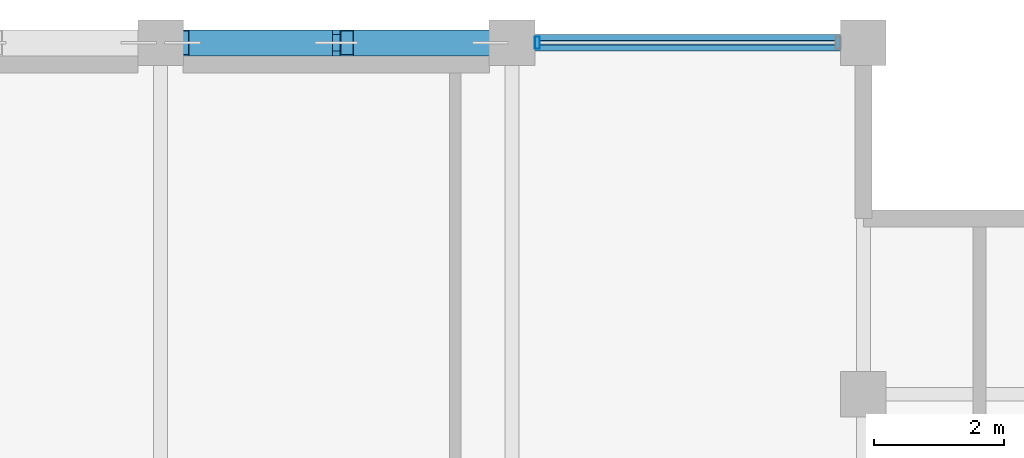
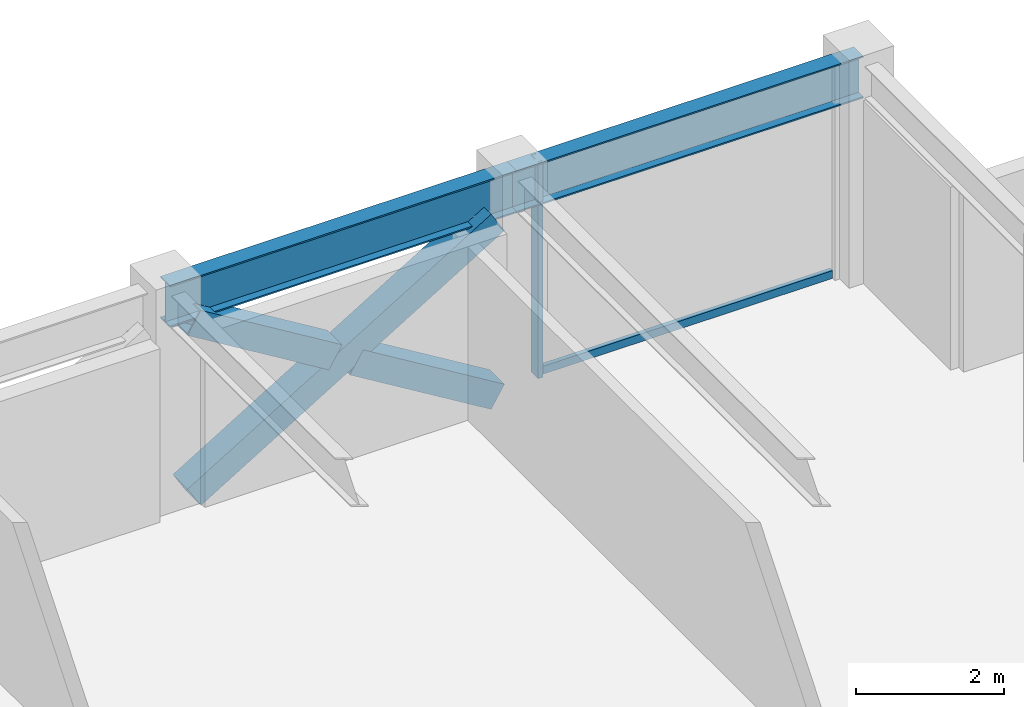
# One storey, part 20 of 31: 5 members, 2 beams, 1 element without a shape of its own.
"""IFC4 building model written with IfcOpenShell, lengths in metres."""

from ifc_helpers import new_model, si_unit, direction, frame, origin, origin_2d, place, context, subcontext, project, spatial, hollow_rectangle, i_section, extrude, material, layer, layer_set, material_profile, profile_set, type_object, element, aggregate, save


model = new_model("IFC4")

# Units and contexts
model_context = context("Model", 3, precision=1e-05, world=origin(), true_north=direction((0.0, 1.0)))
body_context = subcontext(model_context, "Body", "Model", "MODEL_VIEW")
ifc_project = project(units=[si_unit("LENGTHUNIT", "METRE"), si_unit("AREAUNIT", "SQUARE_METRE"), si_unit("VOLUMEUNIT", "CUBIC_METRE"), si_unit("PLANEANGLEUNIT", "RADIAN"), si_unit("MASSUNIT", "GRAM", prefix="KILO")], contexts=[model_context])

# Site, building, storey
site_placement = place(None, origin())
site = spatial("IfcSite", under=ifc_project, at=site_placement, CompositionType="ELEMENT")
building_placement = place(site_placement, origin())
building = spatial("IfcBuilding", under=site, at=building_placement, Name="Surkhivell Harbour Commons", CompositionType="ELEMENT")
storey_placement = place(building_placement, frame((0.0, 0.0, 262.5)))
storey = spatial("IfcBuildingStorey", under=building, at=storey_placement, Name="L68", CompositionType="ELEMENT", Elevation=262.5)

# Beams
ifc_material_1 = material(Name="Steel S355", Category="steel")
ifc_material_profile_1 = material_profile(ifc_material_1, i_section(OverallWidth=0.256103515625, OverallDepth=0.693115234375, WebThickness=0.014404296875, FlangeThickness=0.023681640625, at=origin_2d()), Name="UB686x254x170")
ifc_profile_set_1 = profile_set([ifc_material_profile_1], Name="Steel S355")
beam_type = type_object("IfcBeamType", Name="BM-SPN-686", PredefinedType="SPANDREL", material=ifc_profile_set_1)
beam_1_placement = place(storey_placement, frame((0.0, 25.89990234375, 3.223388671875), z_axis=(1.0, 0.0, 0.0), x_axis=(0.0, 1.0, 0.0)))
element("IfcBeam", 1, at=beam_1_placement, inside=storey, type_object=beam_type, Name="L68 Tube Spandrel (-0.0,25.9)", PredefinedType="SPANDREL", context=body_context, shape_type="SweptSolid", body=[
    extrude(i_section(OverallWidth=0.256103515625, OverallDepth=0.693115234375, WebThickness=0.014404296875, FlangeThickness=0.023681640625, at=origin_2d()), origin(), (0.0, 0.0, 1.0), 5.39990234375),
])
beam_2_placement = place(storey_placement, frame((5.39990234375, 25.89990234375, 3.223388671875), z_axis=(1.0, 0.0, 0.0), x_axis=(0.0, 1.0, 0.0)))
element("IfcBeam", 2, at=beam_2_placement, inside=storey, type_object=beam_type, Name="L68 Tube Spandrel (5.4,25.9)", PredefinedType="SPANDREL", context=body_context, shape_type="SweptSolid", body=[
    extrude(i_section(OverallWidth=0.256103515625, OverallDepth=0.693115234375, WebThickness=0.014404296875, FlangeThickness=0.023681640625, at=origin_2d()), origin(), (0.0, 0.0, 1.0), 5.400146484375),
])

# Curtain wall, members
ifc_material_2 = material(Name="Anodised pale-metal aluminium and insulated glazing", Category="aluminium")
ifc_layer = layer(ifc_material_2, 0.175048828125)
ifc_layer_set = layer_set([ifc_layer], Name="Anodised pale-metal aluminium and insulated glazing")
curtain_wall_type = type_object("IfcCurtainWallType", Name="CW-SYS-Z4", PredefinedType="NOTDEFINED", material=ifc_layer_set)
curtain_wall_placement = place(storey_placement, origin())
curtain_wall = element("IfcCurtainWall", 3, at=curtain_wall_placement, inside=storey, type_object=curtain_wall_type, Name="L68 Curtain Wall CW-L68-E07S1", PredefinedType="NOTDEFINED")
ifc_material_3 = material(Name="Anodised pale-metal aluminium alloy 6063-T6", Category="aluminium")
ifc_material_profile_2 = material_profile(ifc_material_3, hollow_rectangle(XDim=0.074951171875, YDim=0.18994140625, WallThickness=0.00390625, at=origin_2d()), Name="ALU-MULL-75x190")
ifc_profile_set_2 = profile_set([ifc_material_profile_2], Name="Anodised pale-metal aluminium alloy 6063-T6")
member_type_1 = type_object("IfcMemberType", Name="CWM-190", PredefinedType="MULLION", material=ifc_profile_set_2)
member_1_placement = place(storey_placement, frame((5.78955078125, 25.89990234375, 0.0), z_axis=(0.0, 0.0, 1.0), x_axis=(-1.0, 0.0, 0.0)))
member_1 = element("IfcMember", 4, at=member_1_placement, type_object=member_type_1, Name="CW-Z4 mullion 2", PredefinedType="MULLION", context=body_context, shape_type="SweptSolid", body=[
    extrude(hollow_rectangle(XDim=0.074951171875, YDim=0.18994140625, WallThickness=0.00390625, at=origin_2d()), origin(), (0.0, 0.0, 1.0), 3.570068359375),
])
ifc_material_4 = material(Name="Champagne anodised aluminium alloy 6063-T6", Category="aluminium")
ifc_material_profile_3 = material_profile(ifc_material_4, hollow_rectangle(XDim=0.070068359375, YDim=0.1298828125, WallThickness=0.00341796875, at=origin_2d()), Name="ALU-TRAN-70x130")
ifc_profile_set_3 = profile_set([ifc_material_profile_3], Name="Champagne anodised aluminium alloy 6063-T6")
member_type_2 = type_object("IfcMemberType", Name="CWT-130", PredefinedType="USERDEFINED", material=ifc_profile_set_3)
member_2_placement = place(storey_placement, frame((10.373046875, 25.89990234375, 0.06494140625), z_axis=(-1.0, 0.0, 0.0), x_axis=(0.0, -1.0, 0.0)))
member_2 = element("IfcMember", 5, at=member_2_placement, type_object=member_type_2, Name="CW-Z4 transom 1.1", ObjectType="TRANSOM", PredefinedType="USERDEFINED", context=body_context, shape_type="SweptSolid", body=[
    extrude(hollow_rectangle(XDim=0.070068359375, YDim=0.1298828125, WallThickness=0.00341796875, at=origin_2d()), origin(), (0.0, 0.0, 1.0), 4.546142578125),
])
aggregate(curtain_wall, [member_1, member_2])

# Members
ifc_material_5 = material(Name="Steel S460", Category="steel")
ifc_material_profile_4 = material_profile(ifc_material_5, hollow_rectangle(XDim=0.39990234375, YDim=0.39990234375, WallThickness=0.02001953125, at=origin_2d()), Name="SHS400x400x20")
ifc_profile_set_4 = profile_set([ifc_material_profile_4], Name="Steel S460")
member_type_3 = type_object("IfcMemberType", Name="MEM-BRC-SHS400", PredefinedType="BRACE", material=ifc_profile_set_4)
member_3_placement = place(storey_placement, frame((0.3349609375, 25.89990234375, 0.008056640625), z_axis=(0.854685454322, 0.0, 0.519146197299), x_axis=(0.0, 1.0, 0.0)))
element("IfcMember", 6, at=member_3_placement, inside=storey, type_object=member_type_3, Name="L68 Perimeter Mega-Brace MB- 04", PredefinedType="BRACE", context=body_context, shape_type="SweptSolid", body=[
    extrude(hollow_rectangle(XDim=0.39990234375, YDim=0.39990234375, WallThickness=0.02001953125, at=origin_2d()), origin(), (0.0, 0.0, 1.0), 5.5341796875),
])
member_4_placement = place(storey_placement, frame((5.06494140625, 25.89990234375, 0.008056640625), z_axis=(-0.854719912157, 0.0, 0.519089464122), x_axis=(0.0, -1.0, 0.0)))
element("IfcMember", 7, at=member_4_placement, inside=storey, type_object=member_type_3, Name="L68 Perimeter Mega-Brace MB- 05", PredefinedType="BRACE", context=body_context, shape_type="SweptSolid", body=[
    extrude(hollow_rectangle(XDim=0.39990234375, YDim=0.39990234375, WallThickness=0.02001953125, at=origin_2d()), origin(), (0.0, 0.0, 1.0), 2.574951171875),
])
member_5_placement = place(storey_placement, frame((2.535888671875, 25.89990234375, 1.544189453125), z_axis=(-0.854677846108, 0.0, 0.519158722716), x_axis=(0.0, -1.0, 0.0)))
element("IfcMember", 8, at=member_5_placement, inside=storey, type_object=member_type_3, Name="L68 Perimeter Mega-Brace MB- 06", PredefinedType="BRACE", context=body_context, shape_type="SweptSolid", body=[
    extrude(hollow_rectangle(XDim=0.39990234375, YDim=0.39990234375, WallThickness=0.02001953125, at=origin_2d()), origin(), (0.0, 0.0, 1.0), 2.5751953125),
])

save(model, "model.ifc")
